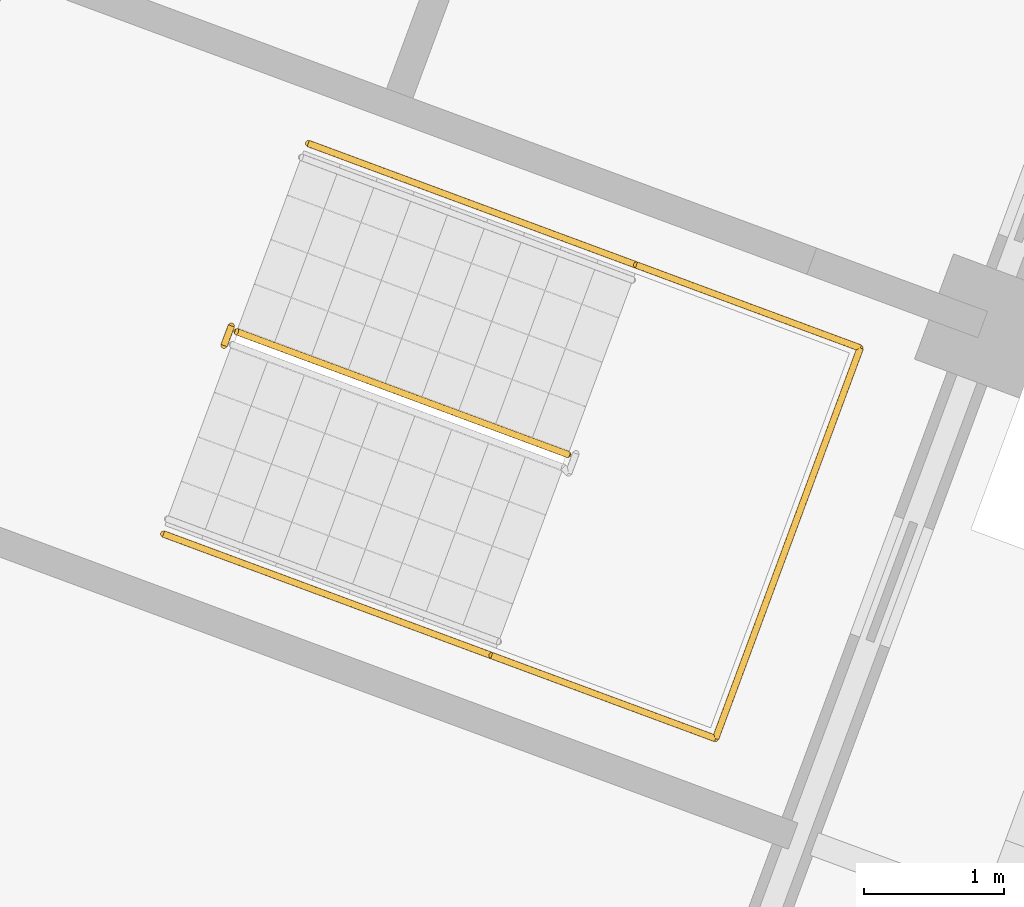
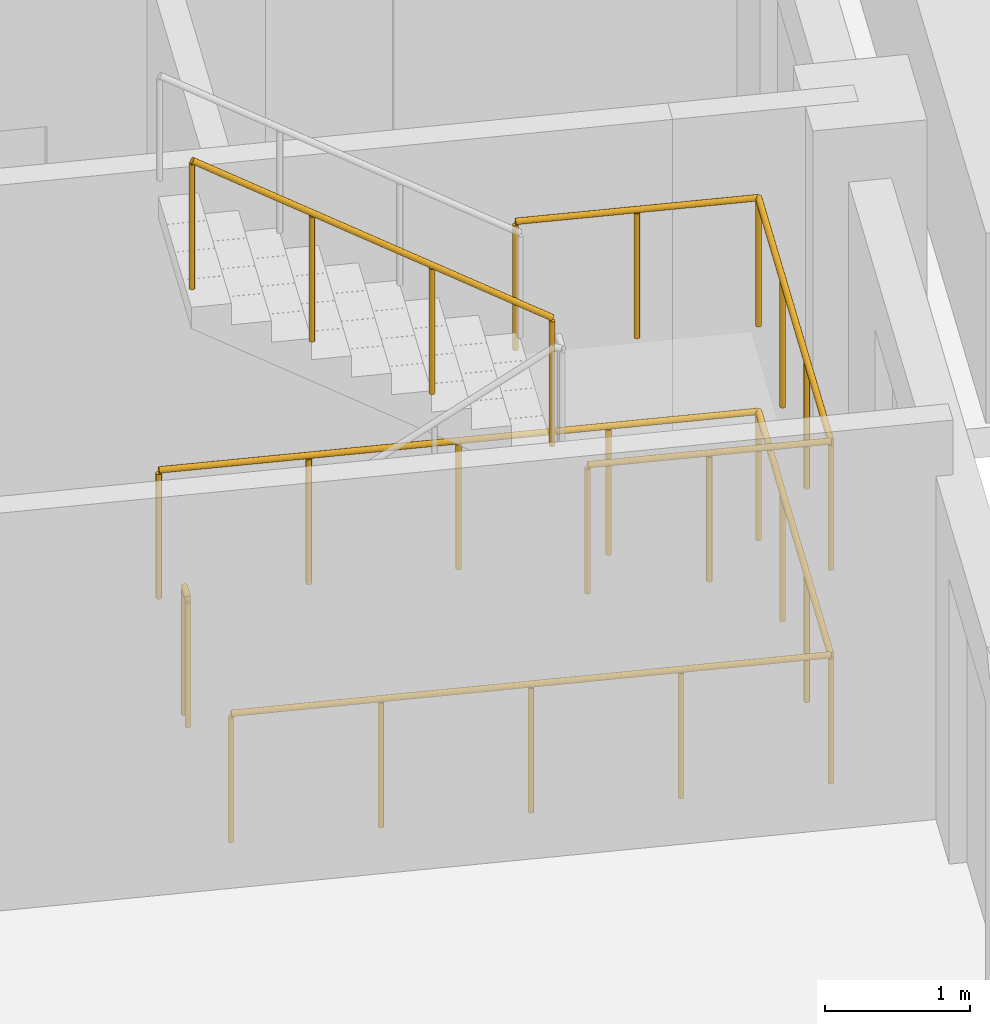
# One storey, part 15 of 19: 4 railings.
"""IFC4 building model written with IfcOpenShell, lengths in metres."""

from ifc_helpers import new_model, si_unit, direction, frame, origin, origin_2d, place, context, subcontext, project, spatial, circle, extrude, material, type_object, element, save


model = new_model("IFC4")

# Units and contexts
model_context = context("Model", 3, precision=1e-05, world=origin(), true_north=direction((0.0, 1.0)))
body_context = subcontext(model_context, "Body", "Model", "MODEL_VIEW")
ifc_project = project(units=[si_unit("LENGTHUNIT", "METRE"), si_unit("AREAUNIT", "SQUARE_METRE"), si_unit("VOLUMEUNIT", "CUBIC_METRE"), si_unit("PLANEANGLEUNIT", "RADIAN"), si_unit("MASSUNIT", "GRAM", prefix="KILO")], contexts=[model_context])

# Site, building, storey
site_placement = place(None, origin())
site = spatial("IfcSite", under=ifc_project, at=site_placement, CompositionType="ELEMENT")
building_placement = place(site_placement, origin())
building = spatial("IfcBuilding", under=site, at=building_placement, Name="Cantera Rosa Tower", CompositionType="ELEMENT")
storey_placement = place(building_placement, frame((0.0, 0.0, 327.699951171875)))
storey = spatial("IfcBuildingStorey", under=building, at=storey_placement, Name="L73", CompositionType="ELEMENT", Elevation=327.699951171875)

# Railings
ifc_material = material(Name="Steel S355J2 (EN 10025-2)", Category="steel")
railing_type = type_object("IfcRailingType", Name="STAIR GUARD 1100", PredefinedType="GUARDRAIL", material=ifc_material)
railing_1_placement = place(storey_placement, frame((20.19970703125, 2.93798828125, 1.97998046875)))
element("IfcRailing", 1, at=railing_1_placement, inside=storey, type_object=railing_type, Name="L73 ST-61 stair guard 2", PredefinedType="GUARDRAIL", context=body_context, shape_type="SweptSolid", body=[
    extrude(circle(Radius=0.02392578125, at=origin_2d()), frame((0.0, 0.0, 1.076171875), z_axis=(-0.788747577403, 0.292306804437, 0.540771662738), x_axis=(-0.347500508527, -0.937679794265, 0.0)), (0.0, 0.0, 1.0), 2.995849609375),
    extrude(circle(Radius=0.02099609375, at=origin_2d()), origin(), (0.0, 0.0, 1.0), 1.052001953125),
    extrude(circle(Radius=0.02099609375, at=origin_2d()), frame((-0.78759765625, 0.2919921875, 0.5400390625)), (0.0, 0.0, 1.0), 1.052001953125),
    extrude(circle(Radius=0.02099609375, at=origin_2d()), frame((-1.575439453125, 0.583740234375, 1.080078125)), (0.0, 0.0, 1.0), 1.052001953125),
    extrude(circle(Radius=0.02099609375, at=origin_2d()), frame((-2.363037109375, 0.875732421875, 1.6201171875)), (0.0, 0.0, 1.0), 1.052001953125),
])
railing_2_placement = place(storey_placement, frame((17.74658203125, 3.71484375, 0.0)))
element("IfcRailing", 2, at=railing_2_placement, inside=storey, type_object=railing_type, Name="L73 ST-61 stair guard 3", PredefinedType="GUARDRAIL", context=body_context, shape_type="SweptSolid", body=[
    extrude(circle(Radius=0.02392578125, at=origin_2d()), frame((0.0, 0.0, 1.076171875), z_axis=(0.348268249601, 0.937394914814, 0.0), x_axis=(-0.937394914814, 0.348268249601, 0.0)), (0.0, 0.0, 1.0), 0.14990234375),
    extrude(circle(Radius=0.02099609375, at=origin_2d()), origin(), (0.0, 0.0, 1.0), 1.052001953125),
    extrude(circle(Radius=0.02099609375, at=origin_2d()), frame((0.05224609375, 0.140625, 0.0)), (0.0, 0.0, 1.0), 1.052001953125),
])
railing_3_placement = place(storey_placement, frame((17.31494140625, 2.37109375, 0.0)))
element("IfcRailing", 3, at=railing_3_placement, inside=storey, type_object=railing_type, Name="L73 ST-61 stair guard 4", PredefinedType="GUARDRAIL", context=body_context, shape_type="SweptSolid", body=[
    extrude(circle(Radius=0.02392578125, at=origin_2d()), frame((0.0, 0.0, 1.076171875), z_axis=(0.937682096729, -0.3474942956, 0.0), x_axis=(0.3474942956, 0.937682096729, 0.0)), (0.0, 0.0, 1.0), 4.197998046875),
    extrude(circle(Radius=0.02392578125, at=origin_2d()), frame((3.936279296875, -1.458740234375, 1.076171875), z_axis=(0.347472311651, 0.937690243436, 0.0), x_axis=(-0.937690243436, 0.347472311651, 0.0)), (0.0, 0.0, 1.0), 2.969970703125),
    extrude(circle(Radius=0.02392578125, at=origin_2d()), frame((4.96826171875, 1.326171875, 1.076171875), z_axis=(-0.937682096729, 0.3474942956, 0.0), x_axis=(-0.3474942956, -0.937682096729, 0.0)), (0.0, 0.0, 1.0), 4.197998046875),
    extrude(circle(Radius=0.02099609375, at=origin_2d()), origin(), (0.0, 0.0, 1.0), 1.052001953125),
    extrude(circle(Radius=0.02099609375, at=origin_2d()), frame((0.984130859375, -0.36474609375, 0.0)), (0.0, 0.0, 1.0), 1.052001953125),
    extrude(circle(Radius=0.02099609375, at=origin_2d()), frame((1.96826171875, -0.7294921875, 0.0)), (0.0, 0.0, 1.0), 1.052001953125),
    extrude(circle(Radius=0.02099609375, at=origin_2d()), frame((2.9521484375, -1.093994140625, 0.0)), (0.0, 0.0, 1.0), 1.052001953125),
    extrude(circle(Radius=0.02099609375, at=origin_2d()), frame((3.936279296875, -1.458740234375, 0.0)), (0.0, 0.0, 1.0), 1.052001953125),
    extrude(circle(Radius=0.02099609375, at=origin_2d()), frame((4.2802734375, -0.530517578125, 0.0)), (0.0, 0.0, 1.0), 1.052001953125),
    extrude(circle(Radius=0.02099609375, at=origin_2d()), frame((4.624267578125, 0.39794921875, 0.0)), (0.0, 0.0, 1.0), 1.052001953125),
    extrude(circle(Radius=0.02099609375, at=origin_2d()), frame((4.96826171875, 1.326171875, 0.0)), (0.0, 0.0, 1.0), 1.052001953125),
    extrude(circle(Radius=0.02099609375, at=origin_2d()), frame((3.984130859375, 1.69091796875, 0.0)), (0.0, 0.0, 1.0), 1.052001953125),
    extrude(circle(Radius=0.02099609375, at=origin_2d()), frame((3.0, 2.0556640625, 0.0)), (0.0, 0.0, 1.0), 1.052001953125),
    extrude(circle(Radius=0.02099609375, at=origin_2d()), frame((2.01611328125, 2.420166015625, 0.0)), (0.0, 0.0, 1.0), 1.052001953125),
    extrude(circle(Radius=0.02099609375, at=origin_2d()), frame((1.031982421875, 2.784912109375, 0.0)), (0.0, 0.0, 1.0), 1.052001953125),
])
railing_4_placement = place(storey_placement, frame((19.6552734375, 1.50390625, 1.800048828125)))
element("IfcRailing", 4, at=railing_4_placement, inside=storey, type_object=railing_type, Name="L73 ST-61 stair guard 5", PredefinedType="GUARDRAIL", context=body_context, shape_type="SweptSolid", body=[
    extrude(circle(Radius=0.02392578125, at=origin_2d()), frame((0.0, 0.0, 1.076171875), z_axis=(0.937660486946, -0.347552602091, 0.0), x_axis=(0.347552602091, 0.937660486946, 0.0)), (0.0, 0.0, 1.0), 1.7021484375),
    extrude(circle(Radius=0.02392578125, at=origin_2d()), frame((1.595947265625, -0.591552734375, 1.076171875), z_axis=(0.347472311651, 0.937690243436, 0.0), x_axis=(-0.937690243436, 0.347472311651, 0.0)), (0.0, 0.0, 1.0), 2.969970703125),
    extrude(circle(Radius=0.02392578125, at=origin_2d()), frame((2.6279296875, 2.193359375, 1.076171875), z_axis=(-0.937660486946, 0.347552602091, 0.0), x_axis=(-0.347552602091, -0.937660486946, 0.0)), (0.0, 0.0, 1.0), 1.7021484375),
    extrude(circle(Radius=0.02099609375, at=origin_2d()), origin(), (0.0, 0.0, 1.0), 1.052001953125),
    extrude(circle(Radius=0.02099609375, at=origin_2d()), frame((0.7978515625, -0.2958984375, 0.0)), (0.0, 0.0, 1.0), 1.052001953125),
    extrude(circle(Radius=0.02099609375, at=origin_2d()), frame((1.595947265625, -0.591552734375, 0.0)), (0.0, 0.0, 1.0), 1.052001953125),
    extrude(circle(Radius=0.02099609375, at=origin_2d()), frame((1.93994140625, 0.336669921875, 0.0)), (0.0, 0.0, 1.0), 1.052001953125),
    extrude(circle(Radius=0.02099609375, at=origin_2d()), frame((2.283935546875, 1.26513671875, 0.0)), (0.0, 0.0, 1.0), 1.052001953125),
    extrude(circle(Radius=0.02099609375, at=origin_2d()), frame((2.6279296875, 2.193359375, 0.0)), (0.0, 0.0, 1.0), 1.052001953125),
    extrude(circle(Radius=0.02099609375, at=origin_2d()), frame((1.830078125, 2.4892578125, 0.0)), (0.0, 0.0, 1.0), 1.052001953125),
    extrude(circle(Radius=0.02099609375, at=origin_2d()), frame((1.031982421875, 2.784912109375, 0.0)), (0.0, 0.0, 1.0), 1.052001953125),
])

save(model, "model.ifc")
